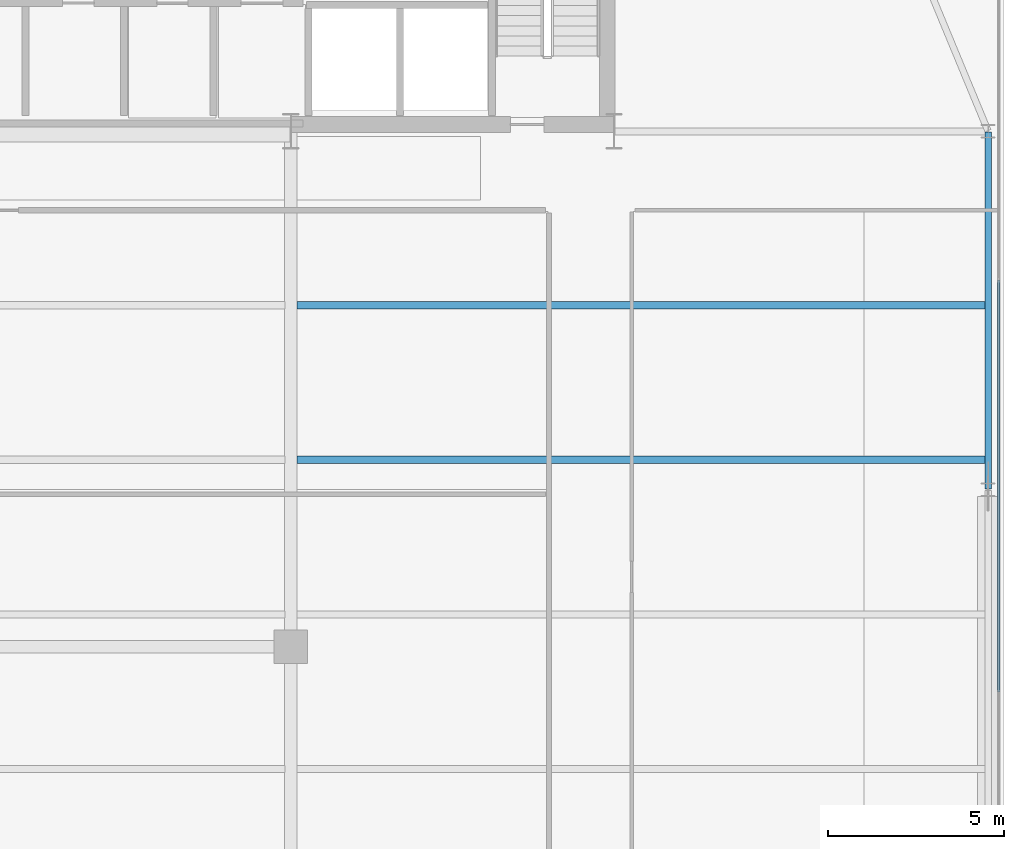
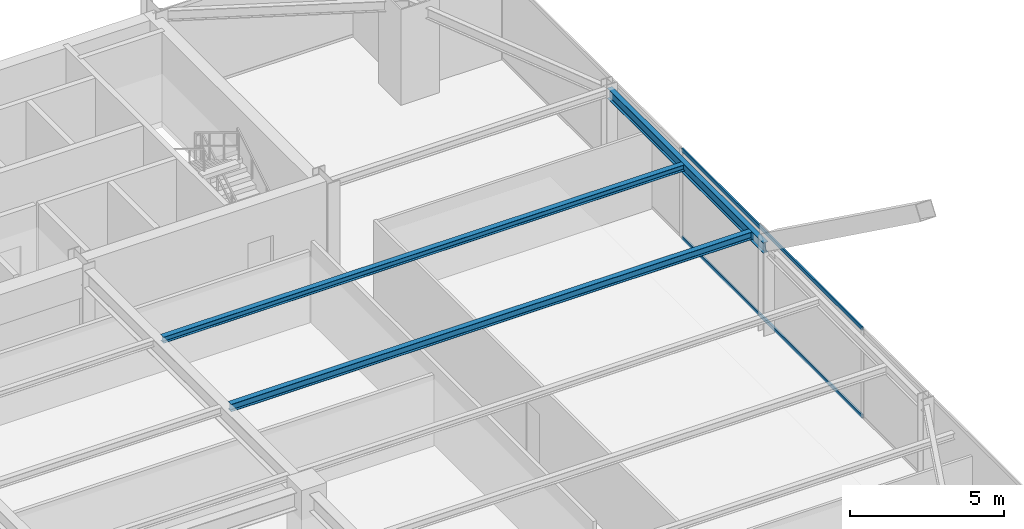
# One storey, part 19 of 37: 3 beams, 2 members, 1 element without a shape of its own.
"""IFC4 building model written with IfcOpenShell, lengths in metres."""

from ifc_helpers import new_model, si_unit, direction, frame, origin, origin_2d, place, context, subcontext, project, spatial, hollow_rectangle, i_section, extrude, source, transform, mapped, material, layer, layer_set, material_profile, profile_set, type_object, type_shapes, element, aggregate, save


model = new_model("IFC4")

# Units and contexts
model_context = context("Model", 3, precision=1e-05, world=origin(), true_north=direction((0.0, 1.0)))
body_context = subcontext(model_context, "Body", "Model", "MODEL_VIEW")
ifc_project = project(units=[si_unit("LENGTHUNIT", "METRE"), si_unit("AREAUNIT", "SQUARE_METRE"), si_unit("VOLUMEUNIT", "CUBIC_METRE"), si_unit("PLANEANGLEUNIT", "RADIAN"), si_unit("MASSUNIT", "GRAM", prefix="KILO")], contexts=[model_context])

# Site, building, storey
site_placement = place(None, origin())
site = spatial("IfcSite", under=ifc_project, at=site_placement, CompositionType="ELEMENT")
building_placement = place(site_placement, origin())
building = spatial("IfcBuilding", under=site, at=building_placement, Name="Varnel Quay Broadcast Tower", CompositionType="ELEMENT")
storey_placement = place(building_placement, frame((0.0, 0.0, 106.800048828125)))
storey = spatial("IfcBuildingStorey", under=building, at=storey_placement, Name="L25", CompositionType="ELEMENT", Elevation=106.800048828125)

# Beams
ifc_material_1 = material(Name="Structural Steel CSA G40.21 350W", Category="steel")
ifc_material_profile_1 = material_profile(ifc_material_1, i_section(OverallWidth=0.180908203125, OverallDepth=0.4169921875, WebThickness=0.010986328125, FlangeThickness=0.018310546875, FilletRadius=0.011962890625, at=origin_2d()), Name="W410X85")
ifc_profile_set_1 = profile_set([ifc_material_profile_1], Name="Structural Steel CSA G40.21 350W")
beam_type_1 = type_object("IfcBeamType", Name="Beam_W410X85", PredefinedType="SPANDREL", material=ifc_profile_set_1)
shared_shape_1 = source(origin(), body_context, "Body", "SweptSolid", [
    extrude(i_section(OverallWidth=0.180908203125, OverallDepth=0.4169921875, WebThickness=0.010986328125, FlangeThickness=0.018310546875, FilletRadius=0.011962890625, at=origin_2d()), origin(), (0.0, 0.0, 1.0), 10.16015625),
])
type_shapes(beam_type_1, [shared_shape_1])
beam_1_placement = place(storey_placement, frame((63.050048828125, 25.419921875, 3.341552734375), z_axis=(0.0, 1.0, 0.0), x_axis=(-1.0, 0.0, 0.0)))
element("IfcBeam", 1, at=beam_1_placement, inside=storey, type_object=beam_type_1, Name="L25 East Spandrel TC-E2-TC-E3", PredefinedType="SPANDREL", context=body_context, shape_type="MappedRepresentation", body=[
    mapped(shared_shape_1, transform((0.0, 0.0, 0.0), x_axis=(1.0, 0.0, 0.0), y_axis=(0.0, 1.0, 0.0), z_axis=(0.0, 0.0, 1.0), scale=1.0)),
])
ifc_material_profile_2 = material_profile(ifc_material_1, i_section(OverallWidth=0.202880859375, OverallDepth=0.302978515625, WebThickness=0.007568359375, FlangeThickness=0.01318359375, FilletRadius=0.011962890625, at=origin_2d()), Name="W310X60")
ifc_profile_set_2 = profile_set([ifc_material_profile_2], Name="Structural Steel CSA G40.21 350W")
beam_type_2 = type_object("IfcBeamType", Name="Beam_W310X60", PredefinedType="JOIST", material=ifc_profile_set_2)
shared_shape_2 = source(origin(), body_context, "Body", "SweptSolid", [
    extrude(i_section(OverallWidth=0.202880859375, OverallDepth=0.302978515625, WebThickness=0.007568359375, FlangeThickness=0.01318359375, FilletRadius=0.011962890625, at=origin_2d()), origin(), (0.0, 0.0, 1.0), 19.592041015625),
])
type_shapes(beam_type_2, [shared_shape_2])
beam_2_placement = place(storey_placement, frame((43.37255859375, 26.25, 3.3984375), z_axis=(1.0, 0.0, 0.0), x_axis=(0.0, 1.0, 0.0)))
element("IfcBeam", 2, at=beam_2_placement, inside=storey, type_object=beam_type_2, Name="L25 East Floor Joist 5", PredefinedType="JOIST", context=body_context, shape_type="MappedRepresentation", body=[
    mapped(shared_shape_2, transform((0.0, 0.0, 0.0), x_axis=(1.0, 0.0, 0.0), y_axis=(0.0, 1.0, 0.0), z_axis=(0.0, 0.0, 1.0), scale=1.0)),
])
ifc_material_profile_3 = material_profile(ifc_material_1, i_section(OverallWidth=0.201904296875, OverallDepth=0.2470703125, WebThickness=0.00732421875, FlangeThickness=0.010986328125, FilletRadius=0.010986328125, at=origin_2d()), Name="W250X49")
ifc_profile_set_3 = profile_set([ifc_material_profile_3], Name="Structural Steel CSA G40.21 350W")
beam_type_3 = type_object("IfcBeamType", Name="Beam_W250X49", PredefinedType="JOIST", material=ifc_profile_set_3)
shared_shape_3 = source(origin(), body_context, "Body", "SweptSolid", [
    extrude(i_section(OverallWidth=0.201904296875, OverallDepth=0.2470703125, WebThickness=0.00732421875, FlangeThickness=0.010986328125, FilletRadius=0.010986328125, at=origin_2d()), origin(), (0.0, 0.0, 1.0), 19.592041015625),
])
type_shapes(beam_type_3, [shared_shape_3])
beam_3_placement = place(storey_placement, frame((43.37255859375, 30.64990234375, 3.426513671875), z_axis=(1.0, 0.0, 0.0), x_axis=(0.0, 1.0, 0.0)))
element("IfcBeam", 3, at=beam_3_placement, inside=storey, type_object=beam_type_3, Name="L25 East Floor Joist 6", PredefinedType="JOIST", context=body_context, shape_type="MappedRepresentation", body=[
    mapped(shared_shape_3, transform((0.0, 0.0, 0.0), x_axis=(1.0, 0.0, 0.0), y_axis=(0.0, 1.0, 0.0), z_axis=(0.0, 0.0, 1.0), scale=1.0)),
])

# Curtain wall, members
ifc_material_2 = material(Name="Anodised Bronze Aluminium 6063-T6", Category="aluminium")
ifc_layer = layer(ifc_material_2, 0.18994140625, Name="Anodised Bronze Aluminium 6063-T6")
ifc_layer_set = layer_set([ifc_layer], Name="Anodised Bronze Aluminium 6063-T6")
curtain_wall_type = type_object("IfcCurtainWallType", Name="CW_LowerTower", PredefinedType="NOTDEFINED", material=ifc_layer_set)
curtain_wall_placement = place(storey_placement, origin())
curtain_wall = element("IfcCurtainWall", 4, at=curtain_wall_placement, inside=storey, type_object=curtain_wall_type, Name="L25 East Unitised Curtain Wall", PredefinedType="NOTDEFINED")
ifc_material_profile_4 = material_profile(ifc_material_2, hollow_rectangle(XDim=0.06005859375, YDim=0.14501953125, WallThickness=0.00341796875, at=origin_2d()), Name="ALU60X145X3.5")
ifc_profile_set_4 = profile_set([ifc_material_profile_4], Name="Anodised Bronze Aluminium 6063-T6")
member_type = type_object("IfcMemberType", Name="Tran_CWS-02", PredefinedType="USERDEFINED", material=ifc_profile_set_4)
shared_shape_4 = source(origin(), body_context, "Body", "SweptSolid", [
    extrude(hollow_rectangle(XDim=0.06005859375, YDim=0.14501953125, WallThickness=0.00341796875, at=origin_2d()), origin(), (0.0, 0.0, 1.0), 11.72998046875),
])
type_shapes(member_type, [shared_shape_4])
member_1_placement = place(storey_placement, frame((63.35009765625, 19.635009765625, 0.030029296875), z_axis=(0.0, 1.0, 0.0), x_axis=(-1.0, 0.0, 0.0)))
member_1 = element("IfcMember", 5, at=member_1_placement, type_object=member_type, Name="CWS-02 transom 2.1", ObjectType="TRANSOM", PredefinedType="USERDEFINED", context=body_context, shape_type="MappedRepresentation", body=[
    mapped(shared_shape_4, transform((0.0, 0.0, 0.0), x_axis=(1.0, 0.0, 0.0), y_axis=(0.0, 1.0, 0.0), z_axis=(0.0, 0.0, 1.0), scale=1.0)),
])
member_2_placement = place(storey_placement, frame((63.35009765625, 19.635009765625, 3.52001953125), z_axis=(0.0, 1.0, 0.0), x_axis=(-1.0, 0.0, 0.0)))
member_2 = element("IfcMember", 6, at=member_2_placement, type_object=member_type, Name="CWS-02 transom 2.2", ObjectType="TRANSOM", PredefinedType="USERDEFINED", context=body_context, shape_type="MappedRepresentation", body=[
    mapped(shared_shape_4, transform((0.0, 0.0, 0.0), x_axis=(1.0, 0.0, 0.0), y_axis=(0.0, 1.0, 0.0), z_axis=(0.0, 0.0, 1.0), scale=1.0)),
])
aggregate(curtain_wall, [member_1, member_2])

save(model, "model.ifc")
